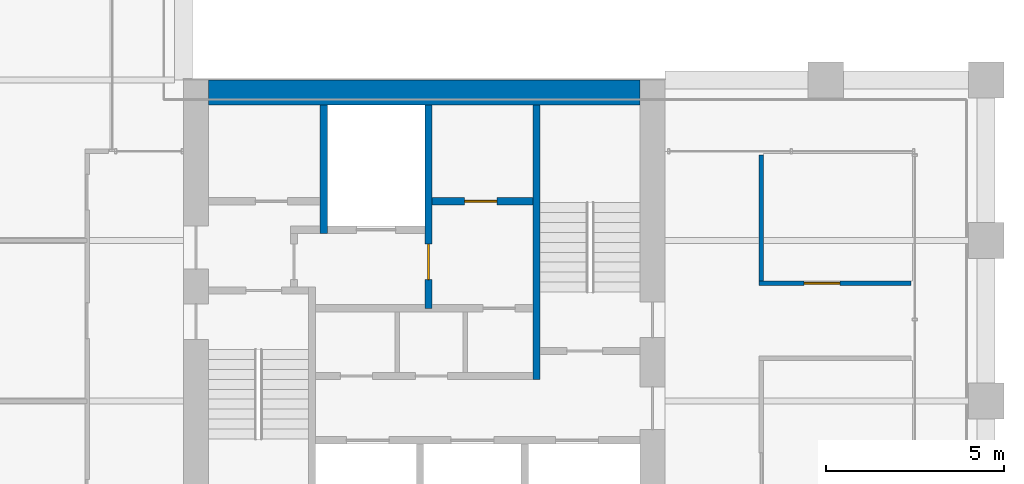
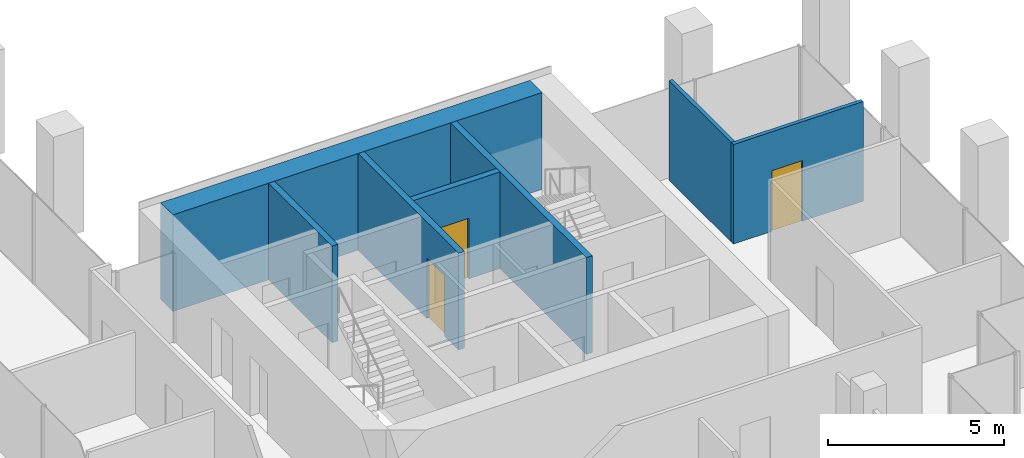
# One storey, part 44 of 47: 7 walls, 3 doors, 3 openings.
"""IFC4 building model written with IfcOpenShell, lengths in metres."""

from ifc_helpers import new_model, si_unit, direction, frame, frame_2d, origin, place, context, subcontext, project, spatial, rectangle, extrude, material, layer, layer_set, type_object, element, fill, save


model = new_model("IFC4")

# Units and contexts
model_context = context("Model", 3, precision=1e-05, world=origin(), true_north=direction((0.0, 1.0)))
body_context = subcontext(model_context, "Body", "Model", "MODEL_VIEW")
ifc_project = project(units=[si_unit("LENGTHUNIT", "METRE"), si_unit("AREAUNIT", "SQUARE_METRE"), si_unit("VOLUMEUNIT", "CUBIC_METRE"), si_unit("PLANEANGLEUNIT", "RADIAN"), si_unit("MASSUNIT", "GRAM", prefix="KILO")], contexts=[model_context])

# Site, building, storey
site_placement = place(None, origin())
site = spatial("IfcSite", under=ifc_project, at=site_placement, CompositionType="ELEMENT")
building_placement = place(site_placement, origin())
building = spatial("IfcBuilding", under=site, at=building_placement, Name="Altepetl Exchange Towers", CompositionType="ELEMENT")
storey_placement = place(building_placement, frame((0.0, 0.0, 95.60009765625)))
storey = spatial("IfcBuildingStorey", under=building, at=storey_placement, Name="L23", CompositionType="ELEMENT", Elevation=95.60009765625)

# Wall
ifc_material_1 = material(Name="Concrete C70/85", Category="concrete")
ifc_layer_1 = layer(ifc_material_1, 0.699951171875)
ifc_layer_set_1 = layer_set([ifc_layer_1], Name="Concrete C70/85")
wall_type_1 = type_object("IfcWallType", Name="Core wall 700 reinforced concrete external", PredefinedType="SHEAR", material=ifc_layer_set_1)
wall_1_placement = place(storey_placement, frame((104.199951171875, 49.14990234375, 0.0)))
element("IfcWall", 1, at=wall_1_placement, inside=storey, type_object=wall_type_1, Name="wall:B:L23:K-coreN", PredefinedType="SHEAR", context=body_context, shape_type="SweptSolid", body=[
    extrude(rectangle(XDim=12.10009765625, YDim=0.699951171875, at=frame_2d((6.050048828125, 0.0))), origin(), (0.0, 0.0, 1.0), 3.349853515625),
])

# Wall, opening, door
ifc_material_2 = material(Name="Gypsum board on steel studs", Category="steel")
ifc_layer_2 = layer(ifc_material_2, 0.125)
ifc_layer_set_2 = layer_set([ifc_layer_2], Name="Gypsum board on steel studs")
wall_type_2 = type_object("IfcWallType", Name="Partition 125 gypsum board on steel studs", PredefinedType="PARTITIONING", material=ifc_layer_set_2)
wall_2_placement = place(storey_placement, frame((119.637451171875, 43.800048828125, 0.0)))
wall_2 = element("IfcWall", 2, at=wall_2_placement, inside=storey, type_object=wall_type_2, Name="wall:B:L23:P07", PredefinedType="PARTITIONING", context=body_context, shape_type="SweptSolid", body=[
    extrude(rectangle(XDim=4.262451171875, YDim=0.125, at=frame_2d((2.13134765625, 0.0))), origin(), (0.0, 0.0, 1.0), 3.449951171875),
])
opening_1_placement = place(wall_2_placement, frame((1.259521484375, 0.0, 0.0)))
opening_1 = element("IfcOpeningElement", 3, at=opening_1_placement, cuts=wall_2, Name="Opening L23.B08", PredefinedType="OPENING", context=body_context, shape_type="SweptSolid", body=[
    extrude(rectangle(XDim=1.0, YDim=2.10009765625, at=frame_2d((0.5, 1.050048828125))), frame((0.0, 0.072509765625, 0.0), z_axis=(0.0, -1.0, 0.0), x_axis=(1.0, 0.0, 0.0)), (0.0, 0.0, 1.0), 0.14501953125),
])
ifc_material_3 = material(Name="Steel and timber fire door", Category="steel")
door_type_1 = type_object("IfcDoorType", Name="Fire door 1000 x 2100 single leaf", OperationType="SINGLE_SWING_LEFT", PredefinedType="DOOR", material=ifc_material_3)
door_1_placement = place(opening_1_placement, origin())
door_1 = element("IfcDoor", 4, at=door_1_placement, inside=storey, type_object=door_type_1, Name="door:B:L23:08", OperationType="SINGLE_SWING_LEFT", OverallHeight=2.10009765625, OverallWidth=1.0, PredefinedType="DOOR", context=body_context, shape_type="SweptSolid", body=[
    extrude(rectangle(XDim=1.0, YDim=2.10009765625, at=frame_2d((0.5, 1.050048828125))), frame((0.0, 0.02490234375, 0.0), z_axis=(0.0, -1.0, 0.0), x_axis=(1.0, 0.0, 0.0)), (0.0, 0.0, 1.0), 0.050048828125),
])
fill(opening_1, door_1)

# Walls
wall_3_placement = place(storey_placement, frame((119.699951171875, 43.862548828125, 0.0), z_axis=(0.0, 0.0, 1.0), x_axis=(0.0, 1.0, 0.0)))
element("IfcWall", 5, at=wall_3_placement, inside=storey, type_object=wall_type_2, Name="wall:B:L23:P16", PredefinedType="PARTITIONING", context=body_context, shape_type="SweptSolid", body=[
    extrude(rectangle(XDim=3.537353515625, YDim=0.125, at=frame_2d((1.7685546875, 0.0))), origin(), (0.0, 0.0, 1.0), 3.449951171875),
])
ifc_material_4 = material(Name="Concrete C40/50", Category="concrete")
ifc_layer_3 = layer(ifc_material_4, 0.199951171875)
ifc_layer_set_3 = layer_set([ifc_layer_3], Name="Concrete C40/50")
wall_type_3 = type_object("IfcWallType", Name="Shaft wall 200 reinforced concrete", PredefinedType="SHEAR", material=ifc_layer_set_3)
wall_4_placement = place(storey_placement, frame((107.433349609375, 48.800048828125, 0.0), z_axis=(0.0, 0.0, 1.0), x_axis=(0.0, -1.0, 0.0)))
element("IfcWall", 6, at=wall_4_placement, inside=storey, type_object=wall_type_3, Name="wall:B:L23:K-divN1", PredefinedType="SHEAR", context=body_context, shape_type="SweptSolid", body=[
    extrude(rectangle(XDim=3.60009765625, YDim=0.199951171875, at=frame_2d((1.800048828125, 0.0))), origin(), (0.0, 0.0, 1.0), 3.349853515625),
])

# Wall, opening, door
wall_5_placement = place(storey_placement, frame((110.36669921875, 48.800048828125, 0.0), z_axis=(0.0, 0.0, 1.0), x_axis=(0.0, -1.0, 0.0)))
wall_5 = element("IfcWall", 7, at=wall_5_placement, inside=storey, type_object=wall_type_3, Name="wall:B:L23:K-divN2", PredefinedType="SHEAR", context=body_context, shape_type="SweptSolid", body=[
    extrude(rectangle(XDim=5.699951171875, YDim=0.199951171875, at=frame_2d((2.85009765625, 0.0))), origin(), (0.0, 0.0, 1.0), 3.349853515625),
])
opening_2_placement = place(wall_5_placement, frame((3.89990234375, 0.0, 0.0)))
opening_2 = element("IfcOpeningElement", 8, at=opening_2_placement, cuts=wall_5, Name="Opening L23.B66", PredefinedType="OPENING", context=body_context, shape_type="SweptSolid", body=[
    extrude(rectangle(XDim=1.0, YDim=2.10009765625, at=frame_2d((0.5, 1.050048828125))), frame((0.0, 0.10986328125, 0.0), z_axis=(0.0, -1.0, 0.0), x_axis=(1.0, 0.0, 0.0)), (0.0, 0.0, 1.0), 0.219970703125),
])
door_type_2 = type_object("IfcDoorType", Name="Fire door 1000 x 2100 stair and lobby", OperationType="SINGLE_SWING_LEFT", PredefinedType="DOOR", material=ifc_material_3)
door_2_placement = place(opening_2_placement, frame((1.0, 0.0, 0.0), x_axis=(-1.0, 0.0, 0.0)))
door_2 = element("IfcDoor", 9, at=door_2_placement, inside=storey, type_object=door_type_2, Name="door:B:L23:K-dffE", OperationType="SINGLE_SWING_RIGHT", OverallHeight=2.10009765625, OverallWidth=1.0, PredefinedType="DOOR", context=body_context, shape_type="SweptSolid", body=[
    extrude(rectangle(XDim=1.0, YDim=2.10009765625, at=frame_2d((0.5, 1.050048828125))), frame((0.0, 0.02490234375, 0.0), z_axis=(0.0, -1.0, 0.0), x_axis=(1.0, 0.0, 0.0)), (0.0, 0.0, 1.0), 0.050048828125),
])
fill(opening_2, door_2)

wall_6_placement = place(storey_placement, frame((110.466796875, 46.10009765625, 0.0)))
wall_6 = element("IfcWall", 10, at=wall_6_placement, inside=storey, type_object=wall_type_3, Name="wall:B:L23:K-frontNb", PredefinedType="SHEAR", context=body_context, shape_type="SweptSolid", body=[
    extrude(rectangle(XDim=2.833251953125, YDim=0.199951171875, at=frame_2d((1.41650390625, 0.0))), origin(), (0.0, 0.0, 1.0), 3.349853515625),
])
opening_3_placement = place(wall_6_placement, frame((0.91650390625, 0.0, 0.0)))
opening_3 = element("IfcOpeningElement", 11, at=opening_3_placement, cuts=wall_6, Name="Opening L23.B69", PredefinedType="OPENING", context=body_context, shape_type="SweptSolid", body=[
    extrude(rectangle(XDim=0.89990234375, YDim=2.10009765625, at=frame_2d((0.449951171875, 1.050048828125))), frame((0.0, 0.10986328125, 0.0), z_axis=(0.0, -1.0, 0.0), x_axis=(1.0, 0.0, 0.0)), (0.0, 0.0, 1.0), 0.219970703125),
])
door_type_3 = type_object("IfcDoorType", Name="Fire door 900 x 2100 service room", OperationType="SINGLE_SWING_LEFT", PredefinedType="DOOR", material=ifc_material_3)
door_3_placement = place(opening_3_placement, origin())
door_3 = element("IfcDoor", 12, at=door_3_placement, inside=storey, type_object=door_type_3, Name="door:B:L23:K-dslotN2", OperationType="SINGLE_SWING_RIGHT", OverallHeight=2.10009765625, OverallWidth=0.89990234375, PredefinedType="DOOR", context=body_context, shape_type="SweptSolid", body=[
    extrude(rectangle(XDim=0.89990234375, YDim=2.10009765625, at=frame_2d((0.449951171875, 1.050048828125))), frame((0.0, 0.02490234375, 0.0), z_axis=(0.0, -1.0, 0.0), x_axis=(1.0, 0.0, 0.0)), (0.0, 0.0, 1.0), 0.050048828125),
])
fill(opening_3, door_3)

# Wall
ifc_layer_4 = layer(ifc_material_4, 0.199951171875)
ifc_layer_set_4 = layer_set([ifc_layer_4], Name="Concrete C40/50")
wall_type_4 = type_object("IfcWallType", Name="Stair wall 200 reinforced concrete", PredefinedType="SHEAR", material=ifc_layer_set_4)
wall_7_placement = place(storey_placement, frame((113.39990234375, 41.10009765625, 0.0), z_axis=(0.0, 0.0, 1.0), x_axis=(0.0, 1.0, 0.0)))
element("IfcWall", 13, at=wall_7_placement, inside=storey, type_object=wall_type_4, Name="wall:B:L23:K-stS2W", PredefinedType="SHEAR", context=body_context, shape_type="SweptSolid", body=[
    extrude(rectangle(XDim=7.699951171875, YDim=0.199951171875, at=frame_2d((3.85009765625, 0.0))), origin(), (0.0, 0.0, 1.0), 3.349853515625),
])

save(model, "model.ifc")
